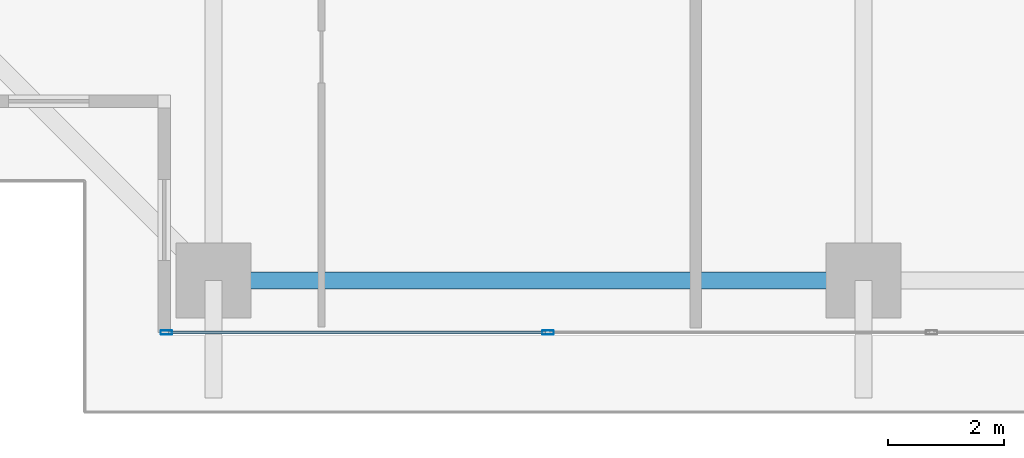
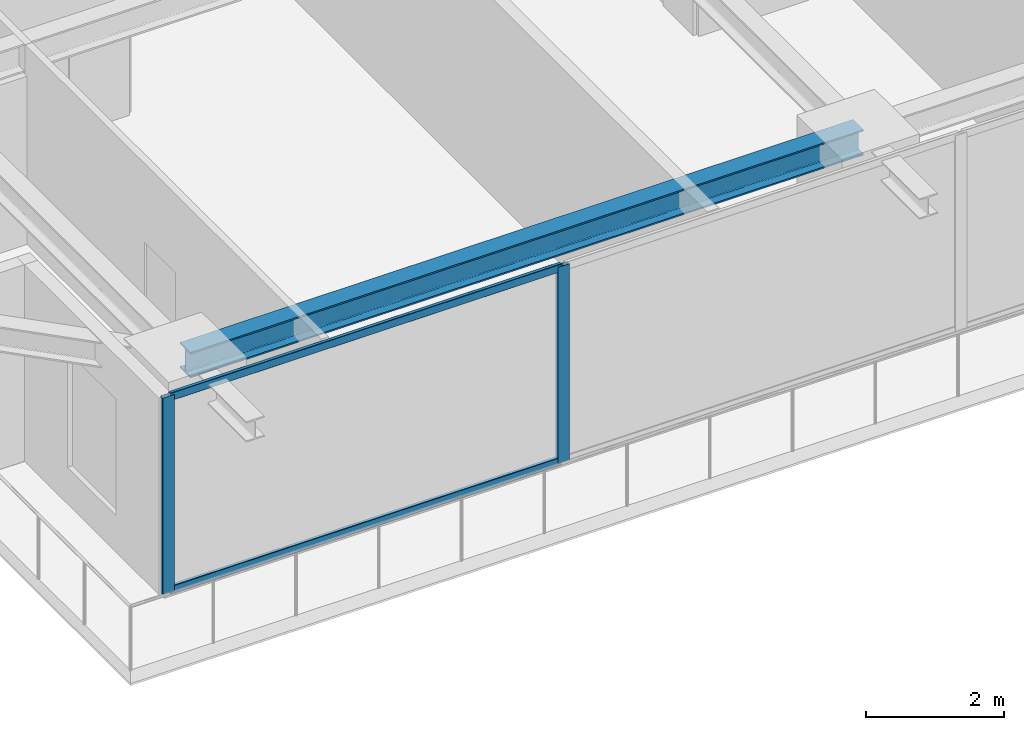
# One storey, part 2 of 33: 4 members, 1 beam, 1 element without a shape of its own.
"""IFC4 building model written with IfcOpenShell, lengths in metres."""

from ifc_helpers import new_model, si_unit, direction, frame, origin, origin_2d, place, context, subcontext, project, spatial, hollow_rectangle, i_section, extrude, source, transform, mapped, material, layer, layer_set, material_profile, profile_set, type_object, element, aggregate, save


model = new_model("IFC4")

# Units and contexts
model_context = context("Model", 3, precision=1e-05, world=origin(), true_north=direction((0.0, 1.0)))
body_context = subcontext(model_context, "Body", "Model", "MODEL_VIEW")
ifc_project = project(units=[si_unit("LENGTHUNIT", "METRE"), si_unit("AREAUNIT", "SQUARE_METRE"), si_unit("VOLUMEUNIT", "CUBIC_METRE"), si_unit("PLANEANGLEUNIT", "RADIAN"), si_unit("MASSUNIT", "GRAM", prefix="KILO")], contexts=[model_context])

# Site, building, storey
site_placement = place(None, origin())
site = spatial("IfcSite", under=ifc_project, at=site_placement, CompositionType="ELEMENT")
building_placement = place(site_placement, origin())
building = spatial("IfcBuilding", under=site, at=building_placement, Name="Serunith Strait Residences", CompositionType="ELEMENT")
storey_placement = place(building_placement, frame((0.0, 0.0, 150.14990234375)))
storey = spatial("IfcBuildingStorey", under=building, at=storey_placement, Name="L37", CompositionType="ELEMENT", Elevation=150.14990234375)

# Beam
ifc_material_1 = material(Name="Steel S355J2", Category="steel")
ifc_material_profile_1 = material_profile(ifc_material_1, i_section(OverallWidth=0.300048828125, OverallDepth=0.449951171875, WebThickness=0.013916015625, FlangeThickness=0.02587890625, FilletRadius=0.027099609375, at=origin_2d()), Name="HEB 450")
ifc_profile_set_1 = profile_set([ifc_material_profile_1], Name="Steel S355J2")
beam_type = type_object("IfcBeamType", Name="BM-HEB450", PredefinedType="BEAM", material=ifc_profile_set_1)
shared_shape_1 = source(origin(), body_context, "Body", "SweptSolid", [
    extrude(i_section(OverallWidth=0.300048828125, OverallDepth=0.449951171875, WebThickness=0.013916015625, FlangeThickness=0.02587890625, FilletRadius=0.027099609375, at=origin_2d()), origin(), (0.0, 0.0, 1.0), 11.25),
])
beam_placement = place(storey_placement, frame((16.64990234375, 2.300048828125, 3.26220703125), z_axis=(1.0, 0.0, 0.0), x_axis=(0.0, 1.0, 0.0)))
element("IfcBeam", 1, at=beam_placement, inside=storey, type_object=beam_type, Name="L37 Perimeter Ring Beam 01", PredefinedType="BEAM", context=body_context, shape_type="MappedRepresentation", body=[
    mapped(shared_shape_1, transform((0.0, 0.0, 0.0), scale=1.0)),
])

# Curtain wall, members
ifc_material_2 = material(Name="Pale-Champagne Anodised Aluminium", Category="aluminium")
ifc_layer = layer(ifc_material_2, 0.199951171875, Name="Pale-Champagne Anodised Aluminium")
ifc_layer_set = layer_set([ifc_layer], Name="Pale-Champagne Anodised Aluminium")
curtain_wall_type = type_object("IfcCurtainWallType", Name="CW-SYS2", PredefinedType="NOTDEFINED", material=ifc_layer_set)
curtain_wall_placement = place(storey_placement, origin())
curtain_wall = element("IfcCurtainWall", 2, at=curtain_wall_placement, inside=storey, type_object=curtain_wall_type, Name="L37 S Unitised Fritted Curtain Wall", PredefinedType="NOTDEFINED")
ifc_material_profile_2 = material_profile(ifc_material_2, hollow_rectangle(XDim=0.070068359375, YDim=0.199951171875, WallThickness=0.00390625, InnerFilletRadius=0.006103515625, OuterFilletRadius=0.010009765625, at=origin_2d()), Name="ALU 200x70x4")
ifc_profile_set_2 = profile_set([ifc_material_profile_2], Name="Pale-Champagne Anodised Aluminium")
member_type_1 = type_object("IfcMemberType", Name="CW-SYS2-MULL", PredefinedType="MULLION", material=ifc_profile_set_2)
shared_shape_2 = source(origin(), body_context, "Body", "SweptSolid", [
    extrude(hollow_rectangle(XDim=0.070068359375, YDim=0.199951171875, WallThickness=0.00390625, InnerFilletRadius=0.006103515625, OuterFilletRadius=0.010009765625, at=origin_2d()), origin(), (0.0, 0.0, 1.0), 3.47509765625),
])
member_1_placement = place(storey_placement, frame((15.8349609375, 1.39990234375, 0.0), z_axis=(0.0, 0.0, 1.0), x_axis=(0.0, 1.0, 0.0)))
member_1 = element("IfcMember", 3, at=member_1_placement, type_object=member_type_1, Name="CW-2 mullion 1", PredefinedType="MULLION", context=body_context, shape_type="MappedRepresentation", body=[
    mapped(shared_shape_2, transform((0.0, 0.0, 0.0), scale=1.0)),
])
member_2_placement = place(storey_placement, frame((22.43994140625, 1.39990234375, 0.0), z_axis=(0.0, 0.0, 1.0), x_axis=(0.0, 1.0, 0.0)))
member_2 = element("IfcMember", 4, at=member_2_placement, type_object=member_type_1, Name="CW-2 mullion 2", PredefinedType="MULLION", context=body_context, shape_type="MappedRepresentation", body=[
    mapped(shared_shape_2, transform((0.0, 0.0, 0.0), scale=1.0)),
])
ifc_material_profile_3 = material_profile(ifc_material_2, hollow_rectangle(XDim=0.06005859375, YDim=0.139892578125, WallThickness=0.00341796875, InnerFilletRadius=0.00537109375, OuterFilletRadius=0.0087890625, at=origin_2d()), Name="ALU 140x60x3.5")
ifc_profile_set_3 = profile_set([ifc_material_profile_3], Name="Pale-Champagne Anodised Aluminium")
member_type_2 = type_object("IfcMemberType", Name="CW-SYS2-TRAN", PredefinedType="USERDEFINED", material=ifc_profile_set_3)
shared_shape_3 = source(origin(), body_context, "Body", "SweptSolid", [
    extrude(hollow_rectangle(XDim=0.06005859375, YDim=0.139892578125, WallThickness=0.00341796875, InnerFilletRadius=0.00537109375, OuterFilletRadius=0.0087890625, at=origin_2d()), origin(), (0.0, 0.0, 1.0), 6.534912109375),
])
member_3_placement = place(storey_placement, frame((15.8701171875, 1.39990234375, 0.030029296875), z_axis=(1.0, 0.0, 0.0), x_axis=(0.0, 1.0, 0.0)))
member_3 = element("IfcMember", 5, at=member_3_placement, type_object=member_type_2, Name="CW-2 transom 1.1", ObjectType="TRANSOM", PredefinedType="USERDEFINED", context=body_context, shape_type="MappedRepresentation", body=[
    mapped(shared_shape_3, transform((0.0, 0.0, 0.0), scale=1.0)),
])
member_4_placement = place(storey_placement, frame((15.8701171875, 1.39990234375, 3.445068359375), z_axis=(1.0, 0.0, 0.0), x_axis=(0.0, 1.0, 0.0)))
member_4 = element("IfcMember", 6, at=member_4_placement, type_object=member_type_2, Name="CW-2 transom 1.2", ObjectType="TRANSOM", PredefinedType="USERDEFINED", context=body_context, shape_type="MappedRepresentation", body=[
    mapped(shared_shape_3, transform((0.0, 0.0, 0.0), scale=1.0)),
])
aggregate(curtain_wall, [member_1, member_2, member_3, member_4])

save(model, "model.ifc")
